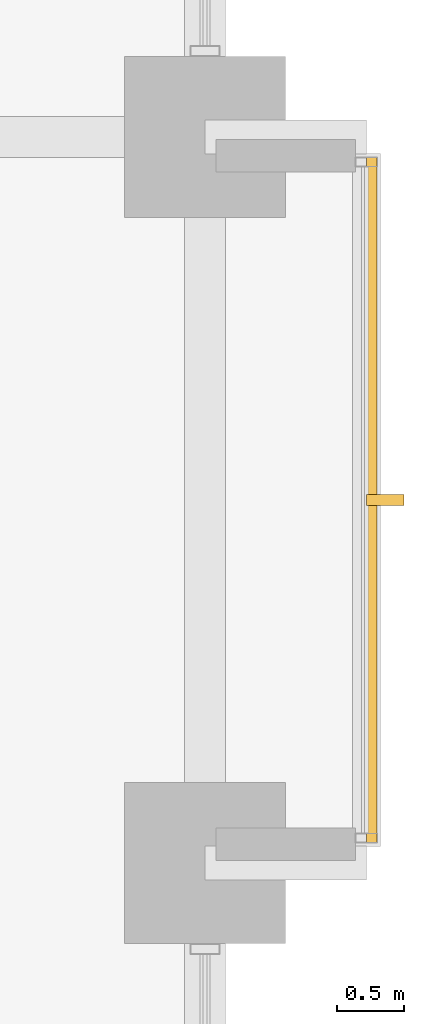
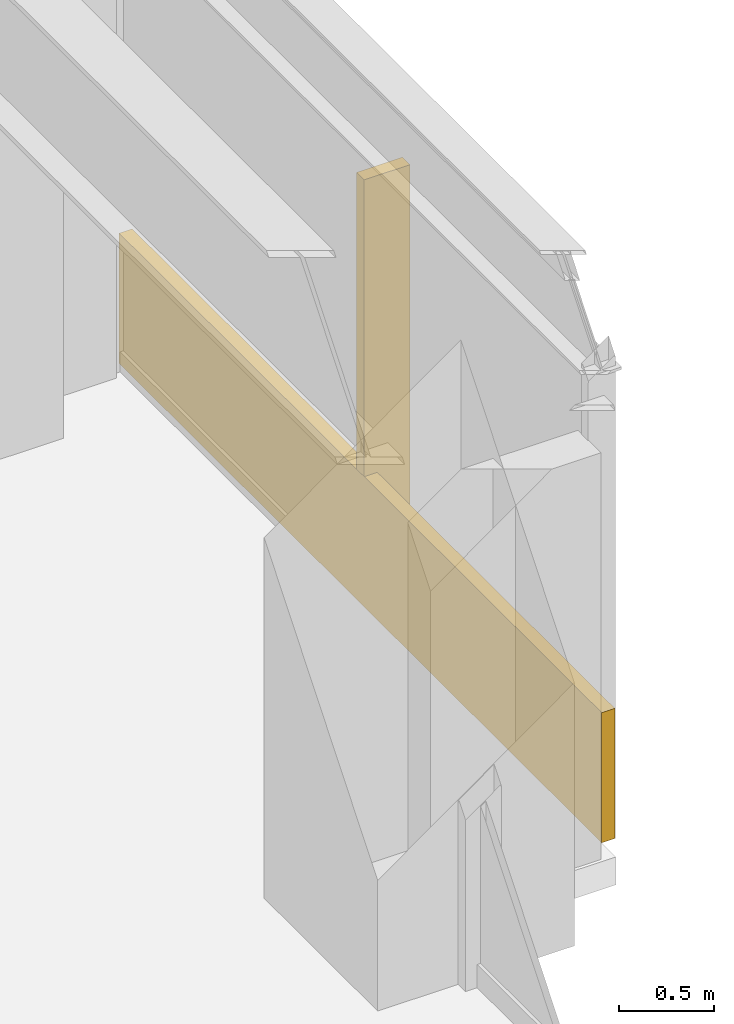
# One storey, part 26 of 27: 1 covering, 1 shading device.
"""IFC4 building model written with IfcOpenShell, lengths in metres."""

from ifc_helpers import new_model, si_unit, direction, frame, origin, origin_2d, place, context, subcontext, project, spatial, rectangle, extrude, material, layer, layer_set, type_object, element, save


model = new_model("IFC4")

# Units and contexts
model_context = context("Model", 3, precision=1e-05, world=origin(), true_north=direction((0.0, 1.0)))
body_context = subcontext(model_context, "Body", "Model", "MODEL_VIEW")
ifc_project = project(units=[si_unit("LENGTHUNIT", "METRE"), si_unit("AREAUNIT", "SQUARE_METRE"), si_unit("VOLUMEUNIT", "CUBIC_METRE"), si_unit("PLANEANGLEUNIT", "RADIAN"), si_unit("MASSUNIT", "GRAM", prefix="KILO")], contexts=[model_context])

# Site, building, storey
site_placement = place(None, origin())
site = spatial("IfcSite", under=ifc_project, at=site_placement, CompositionType="ELEMENT")
building_placement = place(site_placement, origin())
building = spatial("IfcBuilding", under=site, at=building_placement, Name="Surkhivell Harbour Commons", CompositionType="ELEMENT")
storey_placement = place(building_placement, frame((0.0, 0.0, 56.25)))
storey = spatial("IfcBuildingStorey", under=building, at=storey_placement, Name="L14", CompositionType="ELEMENT", Elevation=56.25)

# Covering
ifc_material_1 = material(Name="Cobalt-azure enamelled aluminium cassette panel", Category="aluminium")
ifc_layer = layer(ifc_material_1, 0.072021484375)
ifc_layer_set = layer_set([ifc_layer], Name="Cobalt-azure enamelled aluminium cassette panel")
covering_type = type_object("IfcCoveringType", Name="COV-CLAD-COB", PredefinedType="CLADDING", material=ifc_layer_set)
covering_placement = place(storey_placement, frame((33.639892578125, 13.5, 0.0), z_axis=(0.0, 0.0, 1.0), x_axis=(1.0, 0.0, 0.0)))
element("IfcCovering", 1, at=covering_placement, inside=storey, type_object=covering_type, Name="L14 Coloured-Panel Box Spandrel Cassette 01", PredefinedType="CLADDING", context=body_context, shape_type="SweptSolid", body=[
    extrude(rectangle(XDim=0.080078125, YDim=5.10009765625, at=origin_2d()), origin(), (0.0, 0.0, 1.0), 0.840087890625),
])

# Shading device
ifc_material_2 = material(Name="Champagne anodised aluminium solar fin", Category="aluminium")
shading_device_type = type_object("IfcShadingDeviceType", Name="SHD-FIN-SLIM", PredefinedType="USERDEFINED", material=ifc_material_2)
shading_device_placement = place(storey_placement, frame((33.739990234375, 13.5, 0.0048828125), z_axis=(0.0, 0.0, 1.0), x_axis=(1.0, 0.0, 0.0)))
element("IfcShadingDevice", 2, at=shading_device_placement, inside=storey, type_object=shading_device_type, Name="L14 Coloured-Box Solar Fin 01", ObjectType="FIN", PredefinedType="USERDEFINED", context=body_context, shape_type="SweptSolid", body=[
    extrude(rectangle(XDim=0.280029296875, YDim=0.080078125, at=origin_2d()), origin(), (0.0, 0.0, 1.0), 2.75),
])

save(model, "model.ifc")
